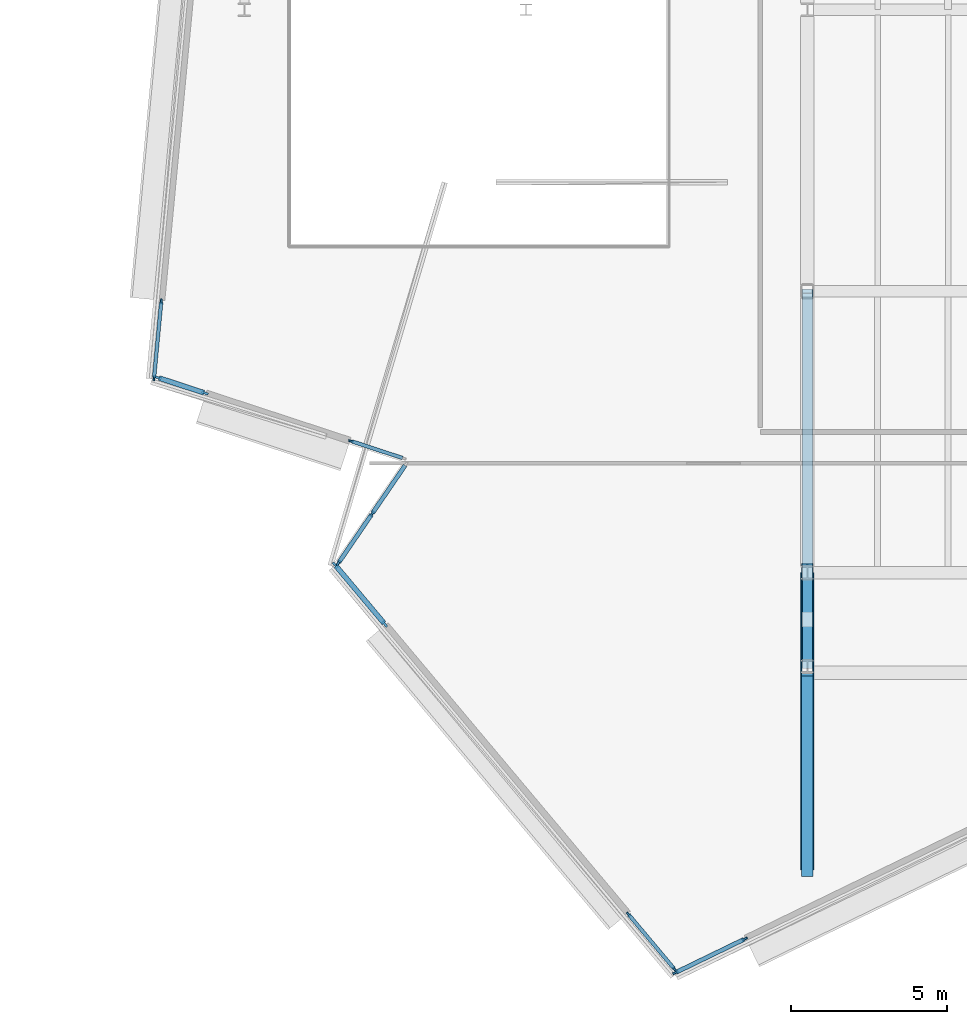
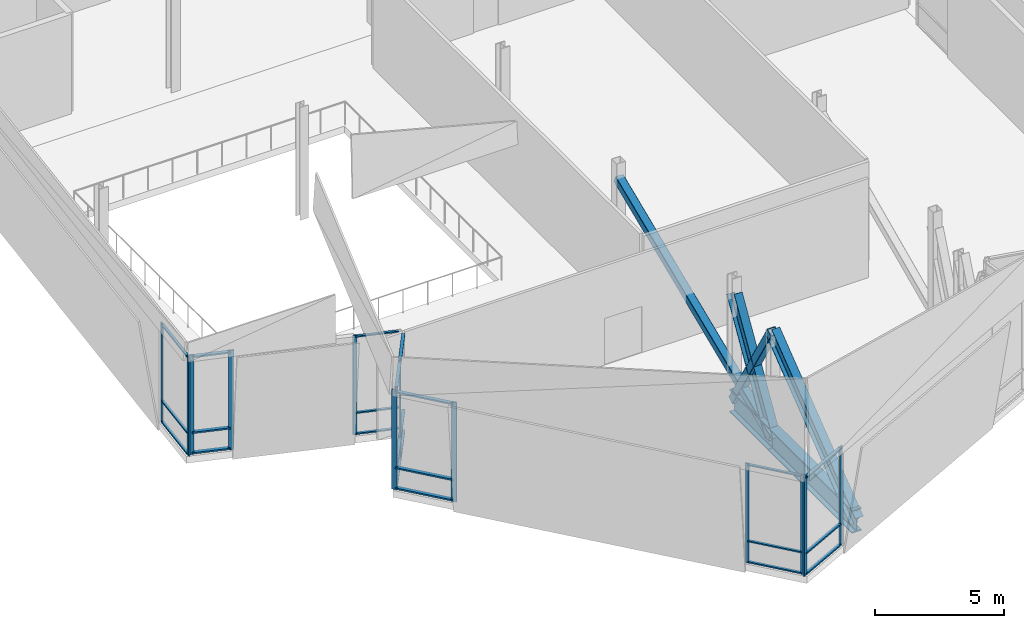
# One storey, part 10 of 60: 39 members, 4 beams, 7 elements without a shape of their own.
"""IFC4 building model written with IfcOpenShell, lengths in metres."""

import ifcopenshell
import ifcopenshell.guid

model = None  # the IFC model being written
_history = None  # IfcOwnerHistory: only IFC2X3 demands one
_inside = {}  # id of a spatial element -> (the spatial element, [elements in it])
_under = {}  # id of a project, library or spatial element -> (it, [spatial elements below it])
_declared = {}  # id of a project -> (the project, [libraries it declares])
_typed = {}  # id of a type object -> (the type object, [elements of that type])
_made_of = {}  # id of a material, layer set ... -> (it, [elements and type objects made of it])


def new_model(schema):
    """Start an empty IFC model of exactly this schema.

    Asked for "IFC4X3", IfcOpenShell would pick the latest addendum, in which some entities
    have other attributes; the version numbers below select the first issue.
    IFC2X3 requires an IfcOwnerHistory on every rooted entity: one is made here for all.
    """
    global model, _history
    if schema == "IFC4X3":
        model = ifcopenshell.file(schema_version=(4, 3, 0, 0))
    else:
        model = ifcopenshell.file(schema=schema)
    _inside.clear()
    _under.clear()
    _declared.clear()
    _typed.clear()
    _made_of.clear()
    _history = None
    if model.schema == "IFC2X3":
        org = make("IfcOrganization", Name="unknown")
        user = make(
            "IfcPersonAndOrganization",
            ThePerson=make("IfcPerson", FamilyName="unknown"),
            TheOrganization=org,
        )
        app = make(
            "IfcApplication",
            ApplicationDeveloper=org,
            Version="unknown",
            ApplicationFullName="unknown",
            ApplicationIdentifier="unknown",
        )
        _history = make(
            "IfcOwnerHistory",
            OwningUser=user,
            OwningApplication=app,
            ChangeAction="ADDED",
            CreationDate=0,
        )
    return model


def make(cls, **values):
    """One entity of the class cls with the attributes given. An attribute that is None is left unset."""
    return model.create_entity(
        cls, **{name: value for name, value in values.items() if value is not None}
    )


def rooted(cls, **values):
    """An entity with a GlobalId (a new one), such as an element, a storey or a relation."""
    return make(cls, GlobalId=ifcopenshell.guid.new(), OwnerHistory=_history, **values)


def si_unit(unit_type, name, prefix=None):
    """IfcSIUnit, for example si_unit("LENGTHUNIT", "METRE", prefix="MILLI")."""
    return make("IfcSIUnit", UnitType=unit_type, Prefix=prefix, Name=name)


def assignment(units):
    """IfcUnitAssignment: the units of a project."""
    return None if units is None else make("IfcUnitAssignment", Units=units)


def point(xyz):
    """IfcCartesianPoint."""
    return None if xyz is None else make("IfcCartesianPoint", Coordinates=xyz)


def direction(xyz):
    """IfcDirection."""
    return None if xyz is None else make("IfcDirection", DirectionRatios=xyz)


def frame(location, z_axis=None, x_axis=None):
    """IfcAxis2Placement3D, a coordinate frame: its origin and axes. An axis left out is left unset."""
    return make(
        "IfcAxis2Placement3D",
        Location=point(location),
        Axis=direction(z_axis),
        RefDirection=direction(x_axis),
    )


def frame_2d(location, x_axis=None):
    """IfcAxis2Placement2D, a coordinate frame in the plane: its origin and x axis."""
    return make(
        "IfcAxis2Placement2D", Location=point(location), RefDirection=direction(x_axis)
    )


def origin():
    """The frame at (0, 0, 0) with its axes left unset."""
    return frame((0.0, 0.0, 0.0))


def origin_2d():
    """The frame at (0, 0) in the plane with its x axis left unset."""
    return frame_2d((0.0, 0.0))


def place(relative_to, where):
    """IfcLocalPlacement: puts the frame where relative to a parent placement (None: the world)."""
    return make(
        "IfcLocalPlacement", PlacementRelTo=relative_to, RelativePlacement=where
    )


def context(
    kind, dimensions, precision=None, world=None, true_north=None, identifier=None
):
    """IfcGeometricRepresentationContext, for example the 3D "Model" context."""
    return make(
        "IfcGeometricRepresentationContext",
        ContextIdentifier=identifier,
        ContextType=kind,
        CoordinateSpaceDimension=dimensions,
        Precision=precision,
        WorldCoordinateSystem=world,
        TrueNorth=true_north,
    )


def subcontext(parent, identifier, kind, view, scale=None):
    """IfcGeometricRepresentationSubContext, for example "Body" below "Model"."""
    return make(
        "IfcGeometricRepresentationSubContext",
        ContextIdentifier=identifier,
        ContextType=kind,
        ParentContext=parent,
        TargetScale=scale,
        TargetView=view,
    )


def project(units=None, contexts=None):
    """IfcProject with its units and contexts."""
    return rooted(
        "IfcProject",
        Name="project",
        RepresentationContexts=contexts,
        UnitsInContext=assignment(units),
    )


def spatial(cls, under=None, at=None, **own):
    """A site, building, storey or space (cls), placed at a placement, below another one or the project."""
    s = rooted(cls, ObjectPlacement=at, **own)
    if under is not None:
        _under.setdefault(under.id(), (under, []))[1].append(s)
    return s


def profile(cls, at=None, kind="AREA", **sizes):
    """A parametric profile (cls). Its sizes go by their IFC names, for example OverallWidth=200.0."""
    return make(cls, ProfileType=kind, Position=at, **sizes)


def rectangle(**sizes):
    """IfcRectangleProfileDef."""
    return profile("IfcRectangleProfileDef", **sizes)


def hollow_rectangle(**sizes):
    """IfcRectangleHollowProfileDef."""
    return profile("IfcRectangleHollowProfileDef", **sizes)


def i_section(**sizes):
    """IfcIShapeProfileDef."""
    return profile("IfcIShapeProfileDef", **sizes)


def extrude(swept, where, along, depth):
    """IfcExtrudedAreaSolid: the profile swept, set in the frame where, extruded along a direction by depth."""
    return make(
        "IfcExtrudedAreaSolid",
        SweptArea=swept,
        Position=where,
        ExtrudedDirection=direction(along),
        Depth=depth,
    )


def shape(context_of_items, identifier, shape_type, items):
    """IfcShapeRepresentation: the items that make up one representation, for example the "Body"."""
    return make(
        "IfcShapeRepresentation",
        ContextOfItems=context_of_items,
        RepresentationIdentifier=identifier,
        RepresentationType=shape_type,
        Items=items,
    )


def material(Name=None, Category=None):
    """IfcMaterial."""
    return make("IfcMaterial", Name=Name, Category=Category)


def material_profile(
    of_material, cross_section, Name=None, Category=None, Priority=None
):
    """IfcMaterialProfile: a cross section and its material."""
    return make(
        "IfcMaterialProfile",
        Name=Name,
        Material=of_material,
        Profile=cross_section,
        Priority=Priority,
        Category=Category,
    )


def profile_set(profiles, Name=None, composite=None):
    """IfcMaterialProfileSet."""
    return make(
        "IfcMaterialProfileSet",
        Name=Name,
        MaterialProfiles=profiles,
        CompositeProfile=composite,
    )


def made_of(thing, what):
    """Note that an element or type object is made of a material, layer set ...; save() writes the relation."""
    if what is not None:
        _made_of.setdefault(what.id(), (what, []))[1].append(thing)
    return thing


def type_object(cls, material=None, **own):
    """A type object (cls), such as IfcWallType, which elements share."""
    return made_of(rooted(cls, **own), material)


def element(
    cls,
    number,
    at=None,
    inside=None,
    cuts=None,
    type_object=None,
    material=None,
    context=None,
    identifier="Body",
    shape_type=None,
    held_by="IfcProductDefinitionShape",
    body=None,
    shapes=None,
    **own,
):
    """One element of the class cls, such as IfcWall. Its Tag is "e" and its number.

    at: its placement. inside: the storey or other place that contains it. cuts: it is an
    opening in that element (IfcRelVoidsElement). A single representation is given by context,
    identifier, shape_type and body (its items); several are given by shapes. held_by: the class
    of the entity that holds the representations. save() writes the other relations.
    """
    e = rooted(cls, Tag="e%d" % number, ObjectPlacement=at, **own)
    if body is not None:
        shapes = [shape(context, identifier, shape_type, body)]
    if shapes is not None:
        e.Representation = make(held_by, Representations=shapes)
    if inside is not None:
        _inside.setdefault(inside.id(), (inside, []))[1].append(e)
    if cuts is not None:
        rooted(
            "IfcRelVoidsElement", RelatingBuildingElement=cuts, RelatedOpeningElement=e
        )
    if type_object is not None:
        _typed.setdefault(type_object.id(), (type_object, []))[1].append(e)
    return made_of(e, material)


def aggregate(whole, parts):
    """IfcRelAggregates: a whole, such as a stair, and the parts it consists of."""
    return rooted("IfcRelAggregates", RelatingObject=whole, RelatedObjects=parts)


def save(model, path):
    """Write the relations noted so far, then the file.

    IfcRelAggregates (storeys below a building ...), IfcRelContainedInSpatialStructure (elements
    in a storey), IfcRelDefinesByType, IfcRelAssociatesMaterial and IfcRelDeclares: one each for
    every whole, place, type object, material and project.
    """
    for whole, parts in _under.values():
        aggregate(whole, parts)
    for where, things in _inside.values():
        rooted(
            "IfcRelContainedInSpatialStructure",
            RelatedElements=things,
            RelatingStructure=where,
        )
    for kind, things in _typed.values():
        rooted("IfcRelDefinesByType", RelatedObjects=things, RelatingType=kind)
    for what, things in _made_of.values():
        rooted("IfcRelAssociatesMaterial", RelatedObjects=things, RelatingMaterial=what)
    for by, libraries in _declared.values():
        rooted("IfcRelDeclares", RelatingContext=by, RelatedDefinitions=libraries)
    model.write(path)


model = new_model("IFC4")

# Units and contexts
model_context = context("Model", 3, precision=1e-05, world=origin(), true_north=direction((0.0, 1.0)))
body_context = subcontext(model_context, "Body", "Model", "MODEL_VIEW")
ifc_project = project(units=[si_unit("LENGTHUNIT", "METRE"), si_unit("AREAUNIT", "SQUARE_METRE"), si_unit("VOLUMEUNIT", "CUBIC_METRE"), si_unit("PLANEANGLEUNIT", "RADIAN"), si_unit("MASSUNIT", "GRAM", prefix="KILO")], contexts=[model_context])

# Site, building, storey
site_placement = place(None, origin())
site = spatial("IfcSite", under=ifc_project, at=site_placement, CompositionType="ELEMENT")
building_placement = place(site_placement, origin())
building = spatial("IfcBuilding", under=site, at=building_placement, Name="Trimount Lyric Opera House", CompositionType="ELEMENT")
storey_placement = place(building_placement, frame((0.0, 0.0, 15.0)))
storey = spatial("IfcBuildingStorey", under=building, at=storey_placement, Name="L03", CompositionType="ELEMENT", Elevation=15.0)

# Members
ifc_material_1 = material(Name="Steel ASTM A500 Grade C", Category="steel")
ifc_material_profile_1 = material_profile(ifc_material_1, hollow_rectangle(XDim=0.355712890625, YDim=0.355712890625, WallThickness=0.014892578125, InnerFilletRadius=0.01513671875, OuterFilletRadius=0.030029296875, at=origin_2d()), Name="HSS355.6X355.6X15.9")
ifc_profile_set_1 = profile_set([ifc_material_profile_1], Name="Steel ASTM A500 Grade C")
member_type_1 = type_object("IfcMemberType", Name="BR-01", PredefinedType="BRACE", material=ifc_profile_set_1)
member_1_placement = place(storey_placement, frame((45.0, 35.0, 4.154052734375), z_axis=(0.0, -0.92238921575, -0.386261743729), x_axis=(1.0, 0.0, 0.0)))
element("IfcMember", 1, at=member_1_placement, inside=storey, type_object=member_type_1, Name="L03 crystal truss 2 back-span tie-back brace", PredefinedType="BRACE", context=body_context, shape_type="SweptSolid", body=[
    extrude(hollow_rectangle(XDim=0.355712890625, YDim=0.355712890625, WallThickness=0.014892578125, InnerFilletRadius=0.01513671875, OuterFilletRadius=0.030029296875, at=origin_2d()), origin(), (0.0, 0.0, 1.0), 13.009765625),
])
member_2_placement = place(storey_placement, frame((45.0, 26.0, -0.87109375), z_axis=(0.0, -0.512598901192, 0.858628188739), x_axis=(1.0, 0.0, 0.0)))
element("IfcMember", 2, at=member_2_placement, inside=storey, type_object=member_type_1, Name="L03 crystal truss 2 counter brace", PredefinedType="BRACE", context=body_context, shape_type="SweptSolid", body=[
    extrude(hollow_rectangle(XDim=0.355712890625, YDim=0.355712890625, WallThickness=0.014892578125, InnerFilletRadius=0.01513671875, OuterFilletRadius=0.030029296875, at=origin_2d()), origin(), (0.0, 0.0, 1.0), 5.8525390625),
])

# Beams
ifc_material_2 = material(Name="Steel ASTM A992 Grade 50", Category="steel")
ifc_material_profile_2 = material_profile(ifc_material_2, i_section(OverallWidth=0.35595703125, OverallDepth=0.700927734375, WebThickness=0.016845703125, FlangeThickness=0.02734375, FilletRadius=0.01806640625, at=origin_2d()), Name="W27X161")
ifc_profile_set_2 = profile_set([ifc_material_profile_2], Name="Steel ASTM A992 Grade 50")
beam_type_1 = type_object("IfcBeamType", Name="CTW-01", PredefinedType="USERDEFINED", material=ifc_profile_set_2)
beam_1_placement = place(storey_placement, frame((45.0, 26.0, 4.154052734375), z_axis=(0.0, -0.512598901192, -0.858628188739), x_axis=(1.0, 0.0, 0.0)))
element("IfcBeam", 3, at=beam_1_placement, inside=storey, type_object=beam_type_1, Name="L03 crystal truss 2 web raker 1", ObjectType="RAKER", PredefinedType="USERDEFINED", context=body_context, shape_type="SweptSolid", body=[
    extrude(i_section(OverallWidth=0.35595703125, OverallDepth=0.700927734375, WebThickness=0.016845703125, FlangeThickness=0.02734375, FilletRadius=0.01806640625, at=origin_2d()), origin(), (0.0, 0.0, 1.0), 5.8525390625),
])
beam_2_placement = place(storey_placement, frame((45.0, 23.0, 4.154052734375), z_axis=(0.0, -0.79114251519, -0.611631850592), x_axis=(1.0, 0.0, 0.0)))
element("IfcBeam", 4, at=beam_2_placement, inside=storey, type_object=beam_type_1, Name="L03 crystal truss 2 web raker 2", ObjectType="RAKER", PredefinedType="USERDEFINED", context=body_context, shape_type="SweptSolid", body=[
    extrude(i_section(OverallWidth=0.35595703125, OverallDepth=0.700927734375, WebThickness=0.016845703125, FlangeThickness=0.02734375, FilletRadius=0.01806640625, at=origin_2d()), origin(), (0.0, 0.0, 1.0), 8.216064453125),
])

# Curtain wall, members
ifc_material_3 = material(Name="Thermally Broken Aluminium and Low-E Glass", Category="aluminium")
curtain_wall_type = type_object("IfcCurtainWallType", Name="CW-02", PredefinedType="NOTDEFINED", material=ifc_material_3)
curtain_wall_1_placement = place(storey_placement, origin())
curtain_wall_1 = element("IfcCurtainWall", 5, at=curtain_wall_1_placement, inside=storey, type_object=curtain_wall_type, Name="L03 crystal fold glazed slit 273", PredefinedType="NOTDEFINED")
ifc_material_4 = material(Name="Anodised Aluminium 6063-T6", Category="aluminium")
ifc_material_profile_3 = material_profile(ifc_material_4, rectangle(XDim=0.070068359375, YDim=0.219970703125, at=origin_2d()), Name="ALU-MULL-70X220")
ifc_profile_set_3 = profile_set([ifc_material_profile_3], Name="Anodised Aluminium 6063-T6")
member_type_2 = type_object("IfcMemberType", Name="ML-01", PredefinedType="MULLION", material=ifc_profile_set_3)
member_3_placement = place(storey_placement, frame((31.488525390625, 24.35986328125, 0.0), z_axis=(0.0, 0.0, 1.0), x_axis=(-0.765883895323, -0.642978894588, 0.0)))
member_3 = element("IfcMember", 6, at=member_3_placement, type_object=member_type_2, Name="CW-02 mullion 1", PredefinedType="MULLION", context=body_context, shape_type="SweptSolid", body=[
    extrude(rectangle(XDim=0.070068359375, YDim=0.219970703125, at=origin_2d()), origin(), (0.0, 0.0, 1.0), 4.719970703125),
])
member_4_placement = place(storey_placement, frame((29.906494140625, 26.244140625, 0.0), z_axis=(0.0, 0.0, 1.0), x_axis=(-0.765883895323, -0.642978894588, 0.0)))
member_4 = element("IfcMember", 7, at=member_4_placement, type_object=member_type_2, Name="CW-02 mullion 2", PredefinedType="MULLION", context=body_context, shape_type="SweptSolid", body=[
    extrude(rectangle(XDim=0.070068359375, YDim=0.219970703125, at=origin_2d()), origin(), (0.0, 0.0, 1.0), 4.719970703125),
])

curtain_wall_2_placement = place(storey_placement, origin())
curtain_wall_2 = element("IfcCurtainWall", 8, at=curtain_wall_2_placement, inside=storey, type_object=curtain_wall_type, Name="L03 crystal fold glazed slit 276", PredefinedType="NOTDEFINED")
member_5_placement = place(storey_placement, frame((25.73974609375, 31.743896484375, 0.0), z_axis=(0.0, 0.0, 1.0), x_axis=(-0.312223640567, -0.95000863063, 0.0)))
member_5 = element("IfcMember", 9, at=member_5_placement, type_object=member_type_2, Name="CW-02 mullion 1", PredefinedType="MULLION", context=body_context, shape_type="SweptSolid", body=[
    extrude(rectangle(XDim=0.070068359375, YDim=0.219970703125, at=origin_2d()), origin(), (0.0, 0.0, 1.0), 4.719970703125),
])
member_6_placement = place(storey_placement, frame((24.2392578125, 32.237060546875, 0.0), z_axis=(0.0, 0.0, 1.0), x_axis=(-0.312223640567, -0.95000863063, 0.0)))
member_6 = element("IfcMember", 10, at=member_6_placement, type_object=member_type_2, Name="CW-02 mullion 2", PredefinedType="MULLION", context=body_context, shape_type="SweptSolid", body=[
    extrude(rectangle(XDim=0.070068359375, YDim=0.219970703125, at=origin_2d()), origin(), (0.0, 0.0, 1.0), 4.719970703125),
])

curtain_wall_3_placement = place(storey_placement, origin())
curtain_wall_3 = element("IfcCurtainWall", 11, at=curtain_wall_3_placement, inside=storey, type_object=curtain_wall_type, Name="L03 crystal fold glazed slit 271", PredefinedType="NOTDEFINED")
ifc_material_5 = material(Name="Anodised Aluminium 6063-T6", Category="aluminium")
ifc_material_profile_4 = material_profile(ifc_material_5, rectangle(XDim=0.06494140625, YDim=0.179931640625, at=origin_2d()), Name="ALU-MULL-65X180")
ifc_profile_set_4 = profile_set([ifc_material_profile_4], Name="Anodised Aluminium 6063-T6")
member_type_3 = type_object("IfcMemberType", Name="ML-02", PredefinedType="MULLION", material=ifc_profile_set_4)
member_7_placement = place(storey_placement, frame((42.998779296875, 14.289794921875, 0.0), z_axis=(0.0, 0.0, 1.0), x_axis=(0.436748624424, -0.899583592038, 0.0)))
member_7 = element("IfcMember", 12, at=member_7_placement, type_object=member_type_3, Name="CW-02 mullion 1", PredefinedType="MULLION", context=body_context, shape_type="SweptSolid", body=[
    extrude(rectangle(XDim=0.06494140625, YDim=0.179931640625, at=origin_2d()), origin(), (0.0, 0.0, 1.0), 4.699951171875),
])
member_8_placement = place(storey_placement, frame((40.78125, 13.213134765625, 0.0), z_axis=(0.0, 0.0, 1.0), x_axis=(0.436748624424, -0.899583592038, 0.0)))
member_8 = element("IfcMember", 13, at=member_8_placement, type_object=member_type_3, Name="CW-02 mullion 2", PredefinedType="MULLION", context=body_context, shape_type="SweptSolid", body=[
    extrude(rectangle(XDim=0.06494140625, YDim=0.179931640625, at=origin_2d()), origin(), (0.0, 0.0, 1.0), 4.699951171875),
])

curtain_wall_4_placement = place(storey_placement, origin())
curtain_wall_4 = element("IfcCurtainWall", 14, at=curtain_wall_4_placement, inside=storey, type_object=curtain_wall_type, Name="L03 crystal fold glazed slit 274", PredefinedType="NOTDEFINED")
member_9_placement = place(storey_placement, frame((30.00927734375, 26.310791015625, 0.0), z_axis=(0.0, 0.0, 1.0), x_axis=(-0.825800981869, 0.563961646165, 0.0)))
member_9 = element("IfcMember", 15, at=member_9_placement, type_object=member_type_3, Name="CW-02 mullion 1", PredefinedType="MULLION", context=body_context, shape_type="SweptSolid", body=[
    extrude(rectangle(XDim=0.06494140625, YDim=0.179931640625, at=origin_2d()), origin(), (0.0, 0.0, 1.0), 4.719970703125),
])
member_10_placement = place(storey_placement, frame((31.0830078125, 27.883056640625, 0.0), z_axis=(0.0, 0.0, 1.0), x_axis=(-0.825800981869, 0.563961646165, 0.0)))
member_10 = element("IfcMember", 16, at=member_10_placement, type_object=member_type_3, Name="CW-02 mullion 2", PredefinedType="MULLION", context=body_context, shape_type="SweptSolid", body=[
    extrude(rectangle(XDim=0.06494140625, YDim=0.179931640625, at=origin_2d()), origin(), (0.0, 0.0, 1.0), 4.719970703125),
])

curtain_wall_5_placement = place(storey_placement, origin())
curtain_wall_5 = element("IfcCurtainWall", 17, at=curtain_wall_5_placement, inside=storey, type_object=curtain_wall_type, Name="L03 crystal fold glazed slit 245", PredefinedType="NOTDEFINED")
ifc_material_6 = material(Name="Anodised Aluminium 6063-T6", Category="aluminium")
ifc_material_profile_5 = material_profile(ifc_material_6, rectangle(XDim=0.06005859375, YDim=0.14990234375, at=origin_2d()), Name="ALU-MULL-60X150")
ifc_profile_set_5 = profile_set([ifc_material_profile_5], Name="Anodised Aluminium 6063-T6")
member_type_4 = type_object("IfcMemberType", Name="ML-03", PredefinedType="MULLION", material=ifc_profile_set_5)
member_11_placement = place(storey_placement, frame((24.11279296875, 32.219970703125, 0.0), z_axis=(0.0, 0.0, 1.0), x_axis=(-0.9955627454, 0.094100052983, 0.0)))
member_11 = element("IfcMember", 18, at=member_11_placement, type_object=member_type_4, Name="CW-02 mullion 1", PredefinedType="MULLION", context=body_context, shape_type="SweptSolid", body=[
    extrude(rectangle(XDim=0.06005859375, YDim=0.14990234375, at=origin_2d()), origin(), (0.0, 0.0, 1.0), 4.719970703125),
])
member_12_placement = place(storey_placement, frame((24.34521484375, 34.67822265625, 0.0), z_axis=(0.0, 0.0, 1.0), x_axis=(-0.9955627454, 0.094100052983, 0.0)))
member_12 = element("IfcMember", 19, at=member_12_placement, type_object=member_type_4, Name="CW-02 mullion 2", PredefinedType="MULLION", context=body_context, shape_type="SweptSolid", body=[
    extrude(rectangle(XDim=0.06005859375, YDim=0.14990234375, at=origin_2d()), origin(), (0.0, 0.0, 1.0), 4.719970703125),
])

curtain_wall_6_placement = place(storey_placement, origin())
curtain_wall_6 = element("IfcCurtainWall", 20, at=curtain_wall_6_placement, inside=storey, type_object=curtain_wall_type, Name="L03 crystal fold glazed slit 272", PredefinedType="NOTDEFINED")
member_13_placement = place(storey_placement, frame((40.749755859375, 13.330078125, 0.0), z_axis=(0.0, 0.0, 1.0), x_axis=(-0.765880761666, -0.642982627222, 0.0)))
member_13 = element("IfcMember", 21, at=member_13_placement, type_object=member_type_4, Name="CW-02 mullion 1", PredefinedType="MULLION", context=body_context, shape_type="SweptSolid", body=[
    extrude(rectangle(XDim=0.06005859375, YDim=0.14990234375, at=origin_2d()), origin(), (0.0, 0.0, 1.0), 4.719970703125),
])
member_14_placement = place(storey_placement, frame((39.2763671875, 15.0849609375, 0.0), z_axis=(0.0, 0.0, 1.0), x_axis=(-0.765880761666, -0.642982627222, 0.0)))
member_14 = element("IfcMember", 22, at=member_14_placement, type_object=member_type_4, Name="CW-02 mullion 2", PredefinedType="MULLION", context=body_context, shape_type="SweptSolid", body=[
    extrude(rectangle(XDim=0.06005859375, YDim=0.14990234375, at=origin_2d()), origin(), (0.0, 0.0, 1.0), 4.719970703125),
])

# Curtain wall, member
curtain_wall_7_placement = place(storey_placement, origin())
curtain_wall_7 = element("IfcCurtainWall", 23, at=curtain_wall_7_placement, inside=storey, type_object=curtain_wall_type, Name="L03 crystal fold glazed slit 275", PredefinedType="NOTDEFINED")
member_15_placement = place(storey_placement, frame((30.407470703125, 30.210693359375, 0.0), z_axis=(0.0, 0.0, 1.0), x_axis=(-0.31245613155, -0.949932190136, 0.0)))
member_15 = element("IfcMember", 24, at=member_15_placement, type_object=member_type_4, Name="CW-02 mullion 2", PredefinedType="MULLION", context=body_context, shape_type="SweptSolid", body=[
    extrude(rectangle(XDim=0.06005859375, YDim=0.14990234375, at=origin_2d()), origin(), (0.0, 0.0, 1.0), 4.719970703125),
])

# Beams
ifc_material_7 = material(Name="Steel ASTM A992 Grade 50", Category="steel")
ifc_material_profile_6 = material_profile(ifc_material_7, i_section(OverallWidth=0.427001953125, OverallDepth=1.092041015625, WebThickness=0.031005859375, FlangeThickness=0.055908203125, FilletRadius=0.02490234375, at=origin_2d()), Name="W40X397")
ifc_profile_set_6 = profile_set([ifc_material_profile_6], Name="Steel ASTM A992 Grade 50")
beam_type_2 = type_object("IfcBeamType", Name="TG-02", PredefinedType="USERDEFINED", material=ifc_profile_set_6)
beam_3_placement = place(storey_placement, frame((45.0, 23.0, -0.87109375), z_axis=(0.0, 1.0, 0.0), x_axis=(-1.0, 0.0, 0.0)))
element("IfcBeam", 25, at=beam_3_placement, inside=storey, type_object=beam_type_2, Name="L03 crystal truss 2 inner chord", ObjectType="TRANSFER_GIRDER", PredefinedType="USERDEFINED", context=body_context, shape_type="SweptSolid", body=[
    extrude(i_section(OverallWidth=0.427001953125, OverallDepth=1.092041015625, WebThickness=0.031005859375, FlangeThickness=0.055908203125, FilletRadius=0.02490234375, at=origin_2d()), origin(), (0.0, 0.0, 1.0), 3.0),
])
beam_4_placement = place(storey_placement, frame((45.0, 16.5, -0.87109375), z_axis=(0.0, 1.0, 0.0), x_axis=(-1.0, 0.0, 0.0)))
element("IfcBeam", 26, at=beam_4_placement, inside=storey, type_object=beam_type_2, Name="L03 crystal truss 2 prow chord", ObjectType="TRANSFER_GIRDER", PredefinedType="USERDEFINED", context=body_context, shape_type="SweptSolid", body=[
    extrude(i_section(OverallWidth=0.427001953125, OverallDepth=1.092041015625, WebThickness=0.031005859375, FlangeThickness=0.055908203125, FilletRadius=0.02490234375, at=origin_2d()), origin(), (0.0, 0.0, 1.0), 6.5),
])

# Member
ifc_material_8 = material(Name="Anodised Aluminium 6063-T6", Category="aluminium")
ifc_material_profile_7 = material_profile(ifc_material_8, rectangle(XDim=0.159912109375, YDim=0.070068359375, at=origin_2d()), Name="ALU-TRAN-70X160")
ifc_profile_set_7 = profile_set([ifc_material_profile_7], Name="Anodised Aluminium 6063-T6")
member_type_5 = type_object("IfcMemberType", Name="TR-01", PredefinedType="USERDEFINED", material=ifc_profile_set_7)
member_16_placement = place(storey_placement, frame((31.466064453125, 24.38671875, 0.080078125), z_axis=(-0.643053146825, 0.765821552556, 0.0), x_axis=(-0.765821552556, -0.643053146825, 0.0)))
member_16 = element("IfcMember", 27, at=member_16_placement, type_object=member_type_5, Name="CW-02 transom 1.1", ObjectType="TRANSOM", PredefinedType="USERDEFINED", context=body_context, shape_type="SweptSolid", body=[
    extrude(rectangle(XDim=0.159912109375, YDim=0.070068359375, at=origin_2d()), origin(), (0.0, 0.0, 1.0), 2.390380859375),
])

member_17_placement = place(storey_placement, frame((31.466064453125, 24.38671875, 1.050048828125), z_axis=(-0.643053146825, 0.765821552556, 0.0), x_axis=(-0.765821552556, -0.643053146825, 0.0)))
member_17 = element("IfcMember", 28, at=member_17_placement, type_object=member_type_5, Name="CW-02 transom 1.2", ObjectType="TRANSOM", PredefinedType="USERDEFINED", context=body_context, shape_type="SweptSolid", body=[
    extrude(rectangle(XDim=0.159912109375, YDim=0.070068359375, at=origin_2d()), origin(), (0.0, 0.0, 1.0), 2.390380859375),
])

member_18_placement = place(storey_placement, frame((31.466064453125, 24.38671875, 4.639892578125), z_axis=(-0.643053146825, 0.765821552556, 0.0), x_axis=(-0.765821552556, -0.643053146825, 0.0)))
member_18 = element("IfcMember", 29, at=member_18_placement, type_object=member_type_5, Name="CW-02 transom 1.3", ObjectType="TRANSOM", PredefinedType="USERDEFINED", context=body_context, shape_type="SweptSolid", body=[
    extrude(rectangle(XDim=0.159912109375, YDim=0.070068359375, at=origin_2d()), origin(), (0.0, 0.0, 1.0), 2.390380859375),
])

aggregate(curtain_wall_1, [member_3, member_4, member_16, member_17, member_18])

member_19_placement = place(storey_placement, frame((25.70654296875, 31.7548828125, 0.080078125), z_axis=(-0.950033119417, 0.312149118229, 0.0), x_axis=(-0.312149118229, -0.950033119417, 0.0)))
member_19 = element("IfcMember", 30, at=member_19_placement, type_object=member_type_5, Name="CW-02 transom 1.1", ObjectType="TRANSOM", PredefinedType="USERDEFINED", context=body_context, shape_type="SweptSolid", body=[
    extrude(rectangle(XDim=0.159912109375, YDim=0.070068359375, at=origin_2d()), origin(), (0.0, 0.0, 1.0), 1.509521484375),
])

member_20_placement = place(storey_placement, frame((25.70654296875, 31.7548828125, 1.050048828125), z_axis=(-0.950033119417, 0.312149118229, 0.0), x_axis=(-0.312149118229, -0.950033119417, 0.0)))
member_20 = element("IfcMember", 31, at=member_20_placement, type_object=member_type_5, Name="CW-02 transom 1.2", ObjectType="TRANSOM", PredefinedType="USERDEFINED", context=body_context, shape_type="SweptSolid", body=[
    extrude(rectangle(XDim=0.159912109375, YDim=0.070068359375, at=origin_2d()), origin(), (0.0, 0.0, 1.0), 1.509521484375),
])

member_21_placement = place(storey_placement, frame((25.70654296875, 31.7548828125, 4.639892578125), z_axis=(-0.950033119417, 0.312149118229, 0.0), x_axis=(-0.312149118229, -0.950033119417, 0.0)))
member_21 = element("IfcMember", 32, at=member_21_placement, type_object=member_type_5, Name="CW-02 transom 1.3", ObjectType="TRANSOM", PredefinedType="USERDEFINED", context=body_context, shape_type="SweptSolid", body=[
    extrude(rectangle(XDim=0.159912109375, YDim=0.070068359375, at=origin_2d()), origin(), (0.0, 0.0, 1.0), 1.509521484375),
])

aggregate(curtain_wall_2, [member_5, member_6, member_19, member_20, member_21])

ifc_material_9 = material(Name="Anodised Aluminium 6063-T6", Category="aluminium")
ifc_material_profile_8 = material_profile(ifc_material_9, rectangle(XDim=0.135009765625, YDim=0.06494140625, at=origin_2d()), Name="ALU-TRAN-65X135")
ifc_profile_set_8 = profile_set([ifc_material_profile_8], Name="Anodised Aluminium 6063-T6")
member_type_6 = type_object("IfcMemberType", Name="TR-02", PredefinedType="USERDEFINED", material=ifc_profile_set_8)
member_22_placement = place(storey_placement, frame((42.969482421875, 14.275634765625, 0.0673828125), z_axis=(-0.899554984577, -0.436807543116, 0.0), x_axis=(0.436807543116, -0.899554984577, 0.0)))
member_22 = element("IfcMember", 33, at=member_22_placement, type_object=member_type_6, Name="CW-02 transom 1.1", ObjectType="TRANSOM", PredefinedType="USERDEFINED", context=body_context, shape_type="SweptSolid", body=[
    extrude(rectangle(XDim=0.135009765625, YDim=0.06494140625, at=origin_2d()), origin(), (0.0, 0.0, 1.0), 2.39990234375),
])

member_23_placement = place(storey_placement, frame((42.969482421875, 14.275634765625, 1.050048828125), z_axis=(-0.899554984577, -0.436807543116, 0.0), x_axis=(0.436807543116, -0.899554984577, 0.0)))
member_23 = element("IfcMember", 34, at=member_23_placement, type_object=member_type_6, Name="CW-02 transom 1.2", ObjectType="TRANSOM", PredefinedType="USERDEFINED", context=body_context, shape_type="SweptSolid", body=[
    extrude(rectangle(XDim=0.135009765625, YDim=0.06494140625, at=origin_2d()), origin(), (0.0, 0.0, 1.0), 2.39990234375),
])

member_24_placement = place(storey_placement, frame((42.969482421875, 14.275634765625, 4.632568359375), z_axis=(-0.899554984577, -0.436807543116, 0.0), x_axis=(0.436807543116, -0.899554984577, 0.0)))
member_24 = element("IfcMember", 35, at=member_24_placement, type_object=member_type_6, Name="CW-02 transom 1.3", ObjectType="TRANSOM", PredefinedType="USERDEFINED", context=body_context, shape_type="SweptSolid", body=[
    extrude(rectangle(XDim=0.135009765625, YDim=0.06494140625, at=origin_2d()), origin(), (0.0, 0.0, 1.0), 2.39990234375),
])

aggregate(curtain_wall_3, [member_7, member_8, member_22, member_23, member_24])

member_25_placement = place(storey_placement, frame((30.027587890625, 26.337646484375, 0.0673828125), z_axis=(0.563979311921, 0.825788917173, 0.0), x_axis=(-0.825788917173, 0.563979311921, 0.0)))
member_25 = element("IfcMember", 36, at=member_25_placement, type_object=member_type_6, Name="CW-02 transom 1.1", ObjectType="TRANSOM", PredefinedType="USERDEFINED", context=body_context, shape_type="SweptSolid", body=[
    extrude(rectangle(XDim=0.135009765625, YDim=0.06494140625, at=origin_2d()), origin(), (0.0, 0.0, 1.0), 1.8388671875),
])

member_26_placement = place(storey_placement, frame((30.027587890625, 26.337646484375, 1.050048828125), z_axis=(0.563979311921, 0.825788917173, 0.0), x_axis=(-0.825788917173, 0.563979311921, 0.0)))
member_26 = element("IfcMember", 37, at=member_26_placement, type_object=member_type_6, Name="CW-02 transom 1.2", ObjectType="TRANSOM", PredefinedType="USERDEFINED", context=body_context, shape_type="SweptSolid", body=[
    extrude(rectangle(XDim=0.135009765625, YDim=0.06494140625, at=origin_2d()), origin(), (0.0, 0.0, 1.0), 1.8388671875),
])

member_27_placement = place(storey_placement, frame((30.027587890625, 26.337646484375, 4.652587890625), z_axis=(0.563979311921, 0.825788917173, 0.0), x_axis=(-0.825788917173, 0.563979311921, 0.0)))
member_27 = element("IfcMember", 38, at=member_27_placement, type_object=member_type_6, Name="CW-02 transom 1.3", ObjectType="TRANSOM", PredefinedType="USERDEFINED", context=body_context, shape_type="SweptSolid", body=[
    extrude(rectangle(XDim=0.135009765625, YDim=0.06494140625, at=origin_2d()), origin(), (0.0, 0.0, 1.0), 1.8388671875),
])

member_28_placement = place(storey_placement, frame((31.101318359375, 27.909912109375, 0.0673828125), z_axis=(0.564041148777, 0.82574668179, 0.0), x_axis=(-0.82574668179, 0.564041148777, 0.0)))
member_28 = element("IfcMember", 39, at=member_28_placement, type_object=member_type_6, Name="CW-02 transom 2.1", ObjectType="TRANSOM", PredefinedType="USERDEFINED", context=body_context, shape_type="SweptSolid", body=[
    extrude(rectangle(XDim=0.135009765625, YDim=0.06494140625, at=origin_2d()), origin(), (0.0, 0.0, 1.0), 1.838623046875),
])

member_29_placement = place(storey_placement, frame((31.101318359375, 27.909912109375, 1.050048828125), z_axis=(0.564041148777, 0.82574668179, 0.0), x_axis=(-0.82574668179, 0.564041148777, 0.0)))
member_29 = element("IfcMember", 40, at=member_29_placement, type_object=member_type_6, Name="CW-02 transom 2.2", ObjectType="TRANSOM", PredefinedType="USERDEFINED", context=body_context, shape_type="SweptSolid", body=[
    extrude(rectangle(XDim=0.135009765625, YDim=0.06494140625, at=origin_2d()), origin(), (0.0, 0.0, 1.0), 1.838623046875),
])

member_30_placement = place(storey_placement, frame((31.101318359375, 27.909912109375, 4.652587890625), z_axis=(0.564041148777, 0.82574668179, 0.0), x_axis=(-0.82574668179, 0.564041148777, 0.0)))
member_30 = element("IfcMember", 41, at=member_30_placement, type_object=member_type_6, Name="CW-02 transom 2.3", ObjectType="TRANSOM", PredefinedType="USERDEFINED", context=body_context, shape_type="SweptSolid", body=[
    extrude(rectangle(XDim=0.135009765625, YDim=0.06494140625, at=origin_2d()), origin(), (0.0, 0.0, 1.0), 1.838623046875),
])

aggregate(curtain_wall_4, [member_9, member_10, member_25, member_26, member_27, member_28, member_29, member_30])

ifc_material_10 = material(Name="Anodised Aluminium 6063-T6", Category="aluminium")
ifc_material_profile_9 = material_profile(ifc_material_10, rectangle(XDim=0.114990234375, YDim=0.06005859375, at=origin_2d()), Name="ALU-TRAN-60X115")
ifc_profile_set_9 = profile_set([ifc_material_profile_9], Name="Anodised Aluminium 6063-T6")
member_type_7 = type_object("IfcMemberType", Name="TR-03", PredefinedType="USERDEFINED", material=ifc_profile_set_9)
member_31_placement = place(storey_placement, frame((24.11572265625, 32.249755859375, 0.0576171875), z_axis=(0.094043887697, 0.995568052514, 0.0), x_axis=(-0.995568052514, 0.094043887697, 0.0)))
member_31 = element("IfcMember", 42, at=member_31_placement, type_object=member_type_7, Name="CW-02 transom 1.1", ObjectType="TRANSOM", PredefinedType="USERDEFINED", context=body_context, shape_type="SweptSolid", body=[
    extrude(rectangle(XDim=0.114990234375, YDim=0.06005859375, at=origin_2d()), origin(), (0.0, 0.0, 1.0), 2.4091796875),
])

member_32_placement = place(storey_placement, frame((24.11572265625, 32.249755859375, 1.050048828125), z_axis=(0.094043887697, 0.995568052514, 0.0), x_axis=(-0.995568052514, 0.094043887697, 0.0)))
member_32 = element("IfcMember", 43, at=member_32_placement, type_object=member_type_7, Name="CW-02 transom 1.2", ObjectType="TRANSOM", PredefinedType="USERDEFINED", context=body_context, shape_type="SweptSolid", body=[
    extrude(rectangle(XDim=0.114990234375, YDim=0.06005859375, at=origin_2d()), origin(), (0.0, 0.0, 1.0), 2.4091796875),
])

member_33_placement = place(storey_placement, frame((24.11572265625, 32.249755859375, 4.66259765625), z_axis=(0.094043887697, 0.995568052514, 0.0), x_axis=(-0.995568052514, 0.094043887697, 0.0)))
member_33 = element("IfcMember", 44, at=member_33_placement, type_object=member_type_7, Name="CW-02 transom 1.3", ObjectType="TRANSOM", PredefinedType="USERDEFINED", context=body_context, shape_type="SweptSolid", body=[
    extrude(rectangle(XDim=0.114990234375, YDim=0.06005859375, at=origin_2d()), origin(), (0.0, 0.0, 1.0), 2.4091796875),
])

aggregate(curtain_wall_5, [member_11, member_12, member_31, member_32, member_33])

member_34_placement = place(storey_placement, frame((40.73046875, 13.35302734375, 0.0576171875), z_axis=(-0.642999624449, 0.765866491602, 0.0), x_axis=(-0.765866491602, -0.642999624449, 0.0)))
member_34 = element("IfcMember", 45, at=member_34_placement, type_object=member_type_7, Name="CW-02 transom 1.1", ObjectType="TRANSOM", PredefinedType="USERDEFINED", context=body_context, shape_type="SweptSolid", body=[
    extrude(rectangle(XDim=0.114990234375, YDim=0.06005859375, at=origin_2d()), origin(), (0.0, 0.0, 1.0), 2.2314453125),
])

member_35_placement = place(storey_placement, frame((40.73046875, 13.35302734375, 1.050048828125), z_axis=(-0.642999624449, 0.765866491602, 0.0), x_axis=(-0.765866491602, -0.642999624449, 0.0)))
member_35 = element("IfcMember", 46, at=member_35_placement, type_object=member_type_7, Name="CW-02 transom 1.2", ObjectType="TRANSOM", PredefinedType="USERDEFINED", context=body_context, shape_type="SweptSolid", body=[
    extrude(rectangle(XDim=0.114990234375, YDim=0.06005859375, at=origin_2d()), origin(), (0.0, 0.0, 1.0), 2.2314453125),
])

member_36_placement = place(storey_placement, frame((40.73046875, 13.35302734375, 4.66259765625), z_axis=(-0.642999624449, 0.765866491602, 0.0), x_axis=(-0.765866491602, -0.642999624449, 0.0)))
member_36 = element("IfcMember", 47, at=member_36_placement, type_object=member_type_7, Name="CW-02 transom 1.3", ObjectType="TRANSOM", PredefinedType="USERDEFINED", context=body_context, shape_type="SweptSolid", body=[
    extrude(rectangle(XDim=0.114990234375, YDim=0.06005859375, at=origin_2d()), origin(), (0.0, 0.0, 1.0), 2.2314453125),
])

aggregate(curtain_wall_6, [member_13, member_14, member_34, member_35, member_36])

member_37_placement = place(storey_placement, frame((32.06103515625, 29.666748046875, 0.0576171875), z_axis=(-0.949945854885, 0.312414584787, 0.0), x_axis=(-0.312414584787, -0.949945854885, 0.0)))
member_37 = element("IfcMember", 48, at=member_37_placement, type_object=member_type_7, Name="CW-02 transom 1.1", ObjectType="TRANSOM", PredefinedType="USERDEFINED", context=body_context, shape_type="SweptSolid", body=[
    extrude(rectangle(XDim=0.114990234375, YDim=0.06005859375, at=origin_2d()), origin(), (0.0, 0.0, 1.0), 1.710693359375),
])

member_38_placement = place(storey_placement, frame((32.06103515625, 29.666748046875, 1.050048828125), z_axis=(-0.949945854885, 0.312414584787, 0.0), x_axis=(-0.312414584787, -0.949945854885, 0.0)))
member_38 = element("IfcMember", 49, at=member_38_placement, type_object=member_type_7, Name="CW-02 transom 1.2", ObjectType="TRANSOM", PredefinedType="USERDEFINED", context=body_context, shape_type="SweptSolid", body=[
    extrude(rectangle(XDim=0.114990234375, YDim=0.06005859375, at=origin_2d()), origin(), (0.0, 0.0, 1.0), 1.710693359375),
])

member_39_placement = place(storey_placement, frame((32.06103515625, 29.666748046875, 4.66259765625), z_axis=(-0.949945854885, 0.312414584787, 0.0), x_axis=(-0.312414584787, -0.949945854885, 0.0)))
member_39 = element("IfcMember", 50, at=member_39_placement, type_object=member_type_7, Name="CW-02 transom 1.3", ObjectType="TRANSOM", PredefinedType="USERDEFINED", context=body_context, shape_type="SweptSolid", body=[
    extrude(rectangle(XDim=0.114990234375, YDim=0.06005859375, at=origin_2d()), origin(), (0.0, 0.0, 1.0), 1.710693359375),
])

aggregate(curtain_wall_7, [member_15, member_37, member_38, member_39])

save(model, "model.ifc")
